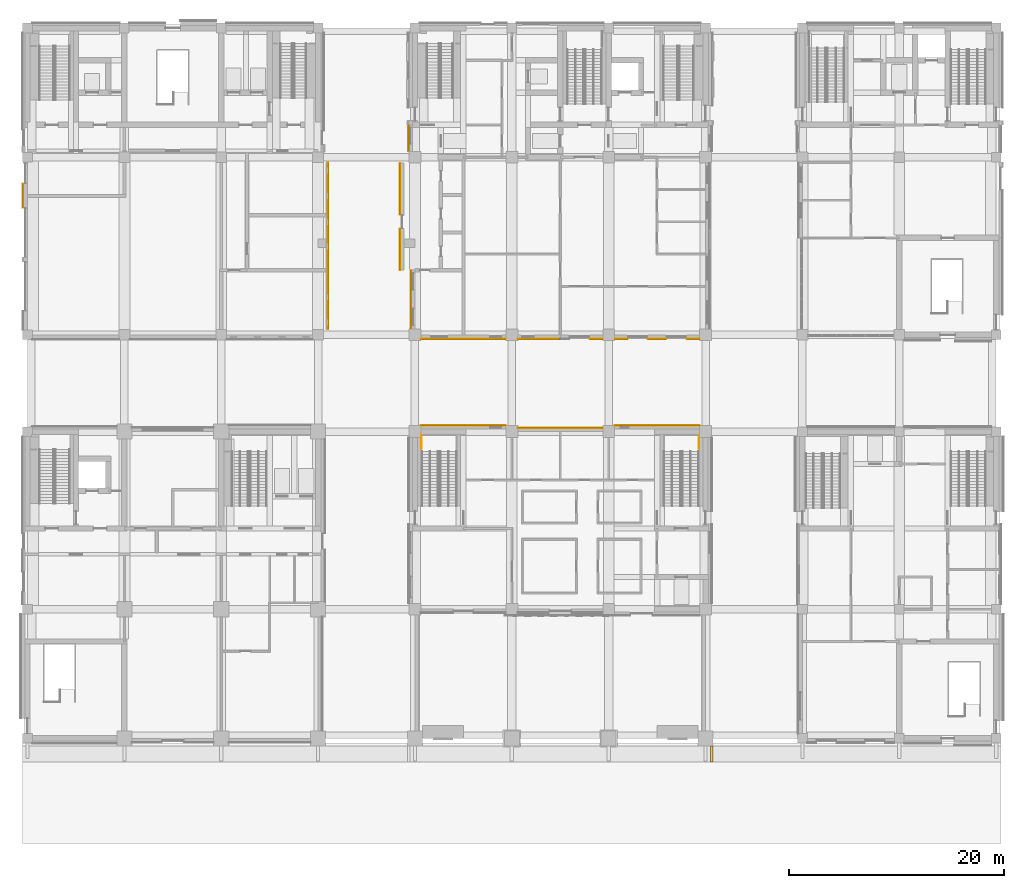
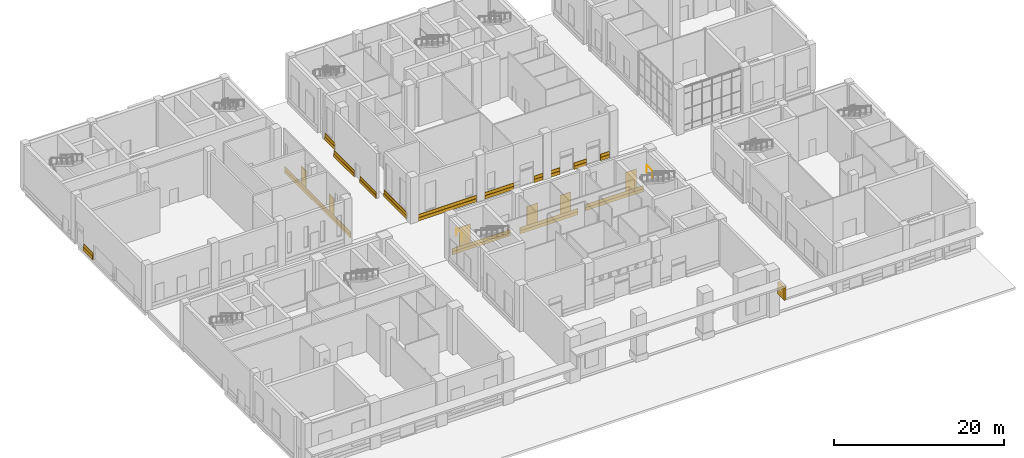
# One storey, part 25 of 35: 36 coverings, 2 railings, 1 shading device.
"""IFC4 building model written with IfcOpenShell, lengths in metres."""

from ifc_helpers import new_model, si_unit, direction, frame, origin, origin_2d, place, context, subcontext, project, spatial, polyline, rectangle, circle, outline, extrude, material, layer, layer_set, type_object, element, save


model = new_model("IFC4")

# Units and contexts
model_context = context("Model", 3, precision=1e-05, world=origin(), true_north=direction((0.0, 1.0)))
body_context = subcontext(model_context, "Body", "Model", "MODEL_VIEW")
ifc_project = project(units=[si_unit("LENGTHUNIT", "METRE"), si_unit("AREAUNIT", "SQUARE_METRE"), si_unit("VOLUMEUNIT", "CUBIC_METRE"), si_unit("PLANEANGLEUNIT", "RADIAN"), si_unit("MASSUNIT", "GRAM", prefix="KILO")], contexts=[model_context])

# Site, building, storey
site_placement = place(None, origin())
site = spatial("IfcSite", under=ifc_project, at=site_placement, CompositionType="ELEMENT")
building_placement = place(site_placement, origin())
building = spatial("IfcBuilding", under=site, at=building_placement, Name="Aurelan Courthouse", CompositionType="ELEMENT")
storey_placement = place(building_placement, origin())
storey = spatial("IfcBuildingStorey", under=building, at=storey_placement, Name="L00", CompositionType="ELEMENT", Elevation=0.0)

# Coverings
ifc_material_1 = material(Name="Bronze sheet cladding")
ifc_layer_1 = layer(ifc_material_1, 0.06005859375)
ifc_layer_set_1 = layer_set([ifc_layer_1], Name="Bronze sheet cladding")
covering_type_1 = type_object("IfcCoveringType", Name="Ceremonial Court blind bay 1500 x 2700", PredefinedType="CLADDING", material=ifc_layer_set_1)
for number, where, z_axis, x_axis, name in (
    (1, (38.25, 29.080078125, 0.89990234375), (0.0, 0.0, 1.0), (1.0, 0.0, 0.0), "Blind bay BB-V1-L00-001"),
    (2, (47.25, 28.830078125, 0.89990234375), (0.0, 0.0, 1.0), (1.0, 0.0, 0.0), "Blind bay BB-V1-L00-002"),
    (3, (51.75, 28.830078125, 0.89990234375), (0.0, 0.0, 1.0), (1.0, 0.0, 0.0), "Blind bay BB-V1-L00-003"),
    (4, (60.75, 29.080078125, 0.89990234375), (0.0, 0.0, 1.0), (1.0, 0.0, 0.0), "Blind bay BB-V1-L00-004"),
):
    element("IfcCovering", number, at=place(storey_placement, frame(where, z_axis=z_axis, x_axis=x_axis)), inside=storey, type_object=covering_type_1, Name=name, PredefinedType="CLADDING", context=body_context, shape_type="SweptSolid", body=[
        extrude(rectangle(XDim=1.5, YDim=0.06005859375, at=origin_2d()), origin(), (0.0, 0.0, 1.0), 2.699951171875),
    ])
ifc_material_2 = material(Name="Granite cladding", Category="masonry")
covering_type_2 = type_object("IfcCoveringType", Name="Ceremonial Court rusticated plinth course 450 x 100", PredefinedType="CLADDING", material=ifc_material_2)
covering_1_placement = place(storey_placement, frame((49.5, 28.85009765625, 0.0), z_axis=(0.0, 0.0, 1.0), x_axis=(1.0, 0.0, 0.0)))
element("IfcCovering", 5, at=covering_1_placement, inside=storey, type_object=covering_type_2, Name="Plinth course PLC-V1-021", PredefinedType="CLADDING", context=body_context, shape_type="SweptSolid", body=[
    extrude(rectangle(XDim=7.89990234375, YDim=0.10009765625, at=origin_2d()), origin(), (0.0, 0.0, 1.0), 0.449951171875),
])
covering_2_placement = place(storey_placement, frame((49.5, 28.830078125, 0.4501953125), z_axis=(0.0, 0.0, 1.0), x_axis=(1.0, 0.0, 0.0)))
element("IfcCovering", 6, at=covering_2_placement, inside=storey, type_object=covering_type_2, Name="Plinth course PLC-V1-022", PredefinedType="CLADDING", context=body_context, shape_type="SweptSolid", body=[
    extrude(rectangle(XDim=7.89990234375, YDim=0.06005859375, at=origin_2d()), origin(), (0.0, 0.0, 1.0), 0.449951171875),
])
covering_3_placement = place(storey_placement, frame((40.5, 29.10009765625, 0.0), z_axis=(0.0, 0.0, 1.0), x_axis=(1.0, 0.0, 0.0)))
element("IfcCovering", 7, at=covering_3_placement, inside=storey, type_object=covering_type_2, Name="Plinth course PLC-V1-023", PredefinedType="CLADDING", context=body_context, shape_type="SweptSolid", body=[
    extrude(rectangle(XDim=7.89990234375, YDim=0.10009765625, at=origin_2d()), origin(), (0.0, 0.0, 1.0), 0.449951171875),
])
covering_4_placement = place(storey_placement, frame((40.5, 29.080078125, 0.4501953125), z_axis=(0.0, 0.0, 1.0), x_axis=(1.0, 0.0, 0.0)))
element("IfcCovering", 8, at=covering_4_placement, inside=storey, type_object=covering_type_2, Name="Plinth course PLC-V1-024", PredefinedType="CLADDING", context=body_context, shape_type="SweptSolid", body=[
    extrude(rectangle(XDim=7.89990234375, YDim=0.06005859375, at=origin_2d()), origin(), (0.0, 0.0, 1.0), 0.449951171875),
])
covering_5_placement = place(storey_placement, frame((58.5, 29.10009765625, 0.0), z_axis=(0.0, 0.0, 1.0), x_axis=(1.0, 0.0, 0.0)))
element("IfcCovering", 9, at=covering_5_placement, inside=storey, type_object=covering_type_2, Name="Plinth course PLC-V1-025", PredefinedType="CLADDING", context=body_context, shape_type="SweptSolid", body=[
    extrude(rectangle(XDim=7.89990234375, YDim=0.10009765625, at=origin_2d()), origin(), (0.0, 0.0, 1.0), 0.449951171875),
])
covering_6_placement = place(storey_placement, frame((58.5, 29.080078125, 0.4501953125), z_axis=(0.0, 0.0, 1.0), x_axis=(1.0, 0.0, 0.0)))
element("IfcCovering", 10, at=covering_6_placement, inside=storey, type_object=covering_type_2, Name="Plinth course PLC-V1-026", PredefinedType="CLADDING", context=body_context, shape_type="SweptSolid", body=[
    extrude(rectangle(XDim=7.89990234375, YDim=0.06005859375, at=origin_2d()), origin(), (0.0, 0.0, 1.0), 0.449951171875),
])
covering_type_3 = type_object("IfcCoveringType", Name="Courtroom Block rusticated plinth course 450 x 100", PredefinedType="CLADDING", material=ifc_material_2)
covering_7_placement = place(storey_placement, frame((40.5, 37.10009765625, 0.0), z_axis=(0.0, 0.0, 1.0), x_axis=(1.0, 0.0, 0.0)))
element("IfcCovering", 11, at=covering_7_placement, inside=storey, type_object=covering_type_3, Name="Plinth course PLC-V2-001", PredefinedType="CLADDING", context=body_context, shape_type="SweptSolid", body=[
    extrude(rectangle(XDim=7.89990234375, YDim=0.10009765625, at=origin_2d()), origin(), (0.0, 0.0, 1.0), 0.449951171875),
])
covering_8_placement = place(storey_placement, frame((40.5, 37.1201171875, 0.4501953125), z_axis=(0.0, 0.0, 1.0), x_axis=(1.0, 0.0, 0.0)))
element("IfcCovering", 12, at=covering_8_placement, inside=storey, type_object=covering_type_3, Name="Plinth course PLC-V2-002", PredefinedType="CLADDING", context=body_context, shape_type="SweptSolid", body=[
    extrude(rectangle(XDim=7.89990234375, YDim=0.06005859375, at=origin_2d()), origin(), (0.0, 0.0, 1.0), 0.449951171875),
])
covering_9_placement = place(storey_placement, frame((47.52490234375, 37.10009765625, 0.0), z_axis=(0.0, 0.0, 1.0), x_axis=(1.0, 0.0, 0.0)))
element("IfcCovering", 13, at=covering_9_placement, inside=storey, type_object=covering_type_3, Name="Plinth course PLC-V2-003", PredefinedType="CLADDING", context=body_context, shape_type="SweptSolid", body=[
    extrude(rectangle(XDim=3.949951171875, YDim=0.10009765625, at=origin_2d()), origin(), (0.0, 0.0, 1.0), 0.449951171875),
])
covering_10_placement = place(storey_placement, frame((47.52490234375, 37.1201171875, 0.4501953125), z_axis=(0.0, 0.0, 1.0), x_axis=(1.0, 0.0, 0.0)))
element("IfcCovering", 14, at=covering_10_placement, inside=storey, type_object=covering_type_3, Name="Plinth course PLC-V2-004", PredefinedType="CLADDING", context=body_context, shape_type="SweptSolid", body=[
    extrude(rectangle(XDim=3.949951171875, YDim=0.06005859375, at=origin_2d()), origin(), (0.0, 0.0, 1.0), 0.449951171875),
])
covering_11_placement = place(storey_placement, frame((52.85009765625, 37.10009765625, 0.0), z_axis=(0.0, 0.0, 1.0), x_axis=(1.0, 0.0, 0.0)))
element("IfcCovering", 15, at=covering_11_placement, inside=storey, type_object=covering_type_3, Name="Plinth course PLC-V2-006", PredefinedType="CLADDING", context=body_context, shape_type="SweptSolid", body=[
    extrude(rectangle(XDim=1.199951171875, YDim=0.10009765625, at=origin_2d()), origin(), (0.0, 0.0, 1.0), 0.449951171875),
])
covering_12_placement = place(storey_placement, frame((52.85009765625, 37.1201171875, 0.4501953125), z_axis=(0.0, 0.0, 1.0), x_axis=(1.0, 0.0, 0.0)))
element("IfcCovering", 16, at=covering_12_placement, inside=storey, type_object=covering_type_3, Name="Plinth course PLC-V2-008", PredefinedType="CLADDING", context=body_context, shape_type="SweptSolid", body=[
    extrude(rectangle(XDim=1.199951171875, YDim=0.06005859375, at=origin_2d()), origin(), (0.0, 0.0, 1.0), 0.449951171875),
])
covering_13_placement = place(storey_placement, frame((55.14990234375, 37.10009765625, 0.0), z_axis=(0.0, 0.0, 1.0), x_axis=(1.0, 0.0, 0.0)))
element("IfcCovering", 17, at=covering_13_placement, inside=storey, type_object=covering_type_3, Name="Plinth course PLC-V2-009", PredefinedType="CLADDING", context=body_context, shape_type="SweptSolid", body=[
    extrude(rectangle(XDim=1.199951171875, YDim=0.10009765625, at=origin_2d()), origin(), (0.0, 0.0, 1.0), 0.449951171875),
])
covering_14_placement = place(storey_placement, frame((58.5, 37.10009765625, 0.0), z_axis=(0.0, 0.0, 1.0), x_axis=(1.0, 0.0, 0.0)))
element("IfcCovering", 18, at=covering_14_placement, inside=storey, type_object=covering_type_3, Name="Plinth course PLC-V2-010", PredefinedType="CLADDING", context=body_context, shape_type="SweptSolid", body=[
    extrude(rectangle(XDim=1.699951171875, YDim=0.10009765625, at=origin_2d()), origin(), (0.0, 0.0, 1.0), 0.449951171875),
])
covering_15_placement = place(storey_placement, frame((61.85009765625, 37.10009765625, 0.0), z_axis=(0.0, 0.0, 1.0), x_axis=(1.0, 0.0, 0.0)))
element("IfcCovering", 19, at=covering_15_placement, inside=storey, type_object=covering_type_3, Name="Plinth course PLC-V2-011", PredefinedType="CLADDING", context=body_context, shape_type="SweptSolid", body=[
    extrude(rectangle(XDim=1.199951171875, YDim=0.10009765625, at=origin_2d()), origin(), (0.0, 0.0, 1.0), 0.449951171875),
])
covering_16_placement = place(storey_placement, frame((55.14990234375, 37.1201171875, 0.4501953125), z_axis=(0.0, 0.0, 1.0), x_axis=(1.0, 0.0, 0.0)))
element("IfcCovering", 20, at=covering_16_placement, inside=storey, type_object=covering_type_3, Name="Plinth course PLC-V2-012", PredefinedType="CLADDING", context=body_context, shape_type="SweptSolid", body=[
    extrude(rectangle(XDim=1.199951171875, YDim=0.06005859375, at=origin_2d()), origin(), (0.0, 0.0, 1.0), 0.449951171875),
])
covering_17_placement = place(storey_placement, frame((58.5, 37.1201171875, 0.4501953125), z_axis=(0.0, 0.0, 1.0), x_axis=(1.0, 0.0, 0.0)))
element("IfcCovering", 21, at=covering_17_placement, inside=storey, type_object=covering_type_3, Name="Plinth course PLC-V2-013", PredefinedType="CLADDING", context=body_context, shape_type="SweptSolid", body=[
    extrude(rectangle(XDim=1.699951171875, YDim=0.06005859375, at=origin_2d()), origin(), (0.0, 0.0, 1.0), 0.449951171875),
])
covering_18_placement = place(storey_placement, frame((61.85009765625, 37.1201171875, 0.4501953125), z_axis=(0.0, 0.0, 1.0), x_axis=(1.0, 0.0, 0.0)))
element("IfcCovering", 22, at=covering_18_placement, inside=storey, type_object=covering_type_3, Name="Plinth course PLC-V2-014", PredefinedType="CLADDING", context=body_context, shape_type="SweptSolid", body=[
    extrude(rectangle(XDim=1.199951171875, YDim=0.06005859375, at=origin_2d()), origin(), (0.0, 0.0, 1.0), 0.449951171875),
])
covering_19_placement = place(storey_placement, frame((35.60009765625, 40.77490234375, 0.0), z_axis=(0.0, 0.0, 1.0), x_axis=(1.0, 0.0, 0.0)))
element("IfcCovering", 23, at=covering_19_placement, inside=storey, type_object=covering_type_3, Name="Plinth course PLC-V2-015", PredefinedType="CLADDING", context=body_context, shape_type="SweptSolid", body=[
    extrude(rectangle(XDim=0.10009765625, YDim=5.449951171875, at=origin_2d()), origin(), (0.0, 0.0, 1.0), 0.449951171875),
])
covering_20_placement = place(storey_placement, frame((35.6201171875, 40.77490234375, 0.4501953125), z_axis=(0.0, 0.0, 1.0), x_axis=(1.0, 0.0, 0.0)))
element("IfcCovering", 24, at=covering_20_placement, inside=storey, type_object=covering_type_3, Name="Plinth course PLC-V2-016", PredefinedType="CLADDING", context=body_context, shape_type="SweptSolid", body=[
    extrude(rectangle(XDim=0.06005859375, YDim=5.449951171875, at=origin_2d()), origin(), (0.0, 0.0, 1.0), 0.449951171875),
])
covering_21_placement = place(storey_placement, frame((34.574951171875, 45.425048828125, 0.0), z_axis=(0.0, 0.0, 1.0), x_axis=(1.0, 0.0, 0.0)))
element("IfcCovering", 25, at=covering_21_placement, inside=storey, type_object=covering_type_3, Name="Plinth course PLC-V2-019", PredefinedType="CLADDING", context=body_context, shape_type="SweptSolid", body=[
    extrude(rectangle(XDim=0.10009765625, YDim=3.85009765625, at=origin_2d()), origin(), (0.0, 0.0, 1.0), 0.449951171875),
])
covering_22_placement = place(storey_placement, frame((34.574951171875, 51.050048828125, 0.0), z_axis=(0.0, 0.0, 1.0), x_axis=(1.0, 0.0, 0.0)))
element("IfcCovering", 26, at=covering_22_placement, inside=storey, type_object=covering_type_3, Name="Plinth course PLC-V2-020", PredefinedType="CLADDING", context=body_context, shape_type="SweptSolid", body=[
    extrude(rectangle(XDim=0.10009765625, YDim=4.800048828125, at=origin_2d()), origin(), (0.0, 0.0, 1.0), 0.449951171875),
])
covering_23_placement = place(storey_placement, frame((34.594970703125, 45.425048828125, 0.4501953125), z_axis=(0.0, 0.0, 1.0), x_axis=(1.0, 0.0, 0.0)))
element("IfcCovering", 27, at=covering_23_placement, inside=storey, type_object=covering_type_3, Name="Plinth course PLC-V2-021", PredefinedType="CLADDING", context=body_context, shape_type="SweptSolid", body=[
    extrude(rectangle(XDim=0.06005859375, YDim=3.85009765625, at=origin_2d()), origin(), (0.0, 0.0, 1.0), 0.449951171875),
])
covering_24_placement = place(storey_placement, frame((34.594970703125, 51.050048828125, 0.4501953125), z_axis=(0.0, 0.0, 1.0), x_axis=(1.0, 0.0, 0.0)))
element("IfcCovering", 28, at=covering_24_placement, inside=storey, type_object=covering_type_3, Name="Plinth course PLC-V2-022", PredefinedType="CLADDING", context=body_context, shape_type="SweptSolid", body=[
    extrude(rectangle(XDim=0.06005859375, YDim=4.800048828125, at=origin_2d()), origin(), (0.0, 0.0, 1.0), 0.449951171875),
])
covering_25_placement = place(storey_placement, frame((35.39990234375, 55.77490234375, 0.0), z_axis=(0.0, 0.0, 1.0), x_axis=(1.0, 0.0, 0.0)))
element("IfcCovering", 29, at=covering_25_placement, inside=storey, type_object=covering_type_3, Name="Plinth course PLC-V2-025", PredefinedType="CLADDING", context=body_context, shape_type="SweptSolid", body=[
    extrude(rectangle(XDim=0.10009765625, YDim=2.449951171875, at=origin_2d()), origin(), (0.0, 0.0, 1.0), 0.449951171875),
])
covering_26_placement = place(storey_placement, frame((35.419921875, 55.77490234375, 0.4501953125), z_axis=(0.0, 0.0, 1.0), x_axis=(1.0, 0.0, 0.0)))
element("IfcCovering", 30, at=covering_26_placement, inside=storey, type_object=covering_type_3, Name="Plinth course PLC-V2-026", PredefinedType="CLADDING", context=body_context, shape_type="SweptSolid", body=[
    extrude(rectangle(XDim=0.06005859375, YDim=2.449951171875, at=origin_2d()), origin(), (0.0, 0.0, 1.0), 0.449951171875),
])
ifc_layer_2 = layer(ifc_material_1, 0.06005859375)
ifc_layer_set_2 = layer_set([ifc_layer_2], Name="Bronze sheet cladding")
covering_type_4 = type_object("IfcCoveringType", Name="Custody Suite blind bay 1200 x 2400", PredefinedType="CLADDING", material=ifc_layer_set_2)
for number, where, z_axis, x_axis, name in (
    (31, (27.929931640625, 42.449951171875, 0.900146484375), (0.0, 0.0, 1.0), (1.0, 0.0, 0.0), "Blind bay BB-V6-L00-016"),
    (32, (27.929931640625, 49.050048828125, 0.900146484375), (0.0, 0.0, 1.0), (1.0, 0.0, 0.0), "Blind bay BB-V6-L00-017"),
):
    element("IfcCovering", number, at=place(storey_placement, frame(where, z_axis=z_axis, x_axis=x_axis)), inside=storey, type_object=covering_type_4, Name=name, PredefinedType="CLADDING", context=body_context, shape_type="SweptSolid", body=[
        extrude(rectangle(XDim=0.06005859375, YDim=1.199951171875, at=origin_2d()), origin(), (0.0, 0.0, 1.0), 2.39990234375),
    ])
covering_type_5 = type_object("IfcCoveringType", Name="Custody Suite rusticated plinth course 450 x 100", PredefinedType="CLADDING", material=ifc_material_2)
covering_27_placement = place(storey_placement, frame((-0.449951171875, 50.425048828125, 0.0), z_axis=(0.0, 0.0, 1.0), x_axis=(1.0, 0.0, 0.0)))
element("IfcCovering", 33, at=covering_27_placement, inside=storey, type_object=covering_type_5, Name="Plinth course PLC-V6-009", PredefinedType="CLADDING", context=body_context, shape_type="SweptSolid", body=[
    extrude(rectangle(XDim=0.10009765625, YDim=2.25, at=origin_2d()), origin(), (0.0, 0.0, 1.0), 0.449951171875),
])
covering_28_placement = place(storey_placement, frame((-0.429931640625, 50.425048828125, 0.4501953125), z_axis=(0.0, 0.0, 1.0), x_axis=(1.0, 0.0, 0.0)))
element("IfcCovering", 34, at=covering_28_placement, inside=storey, type_object=covering_type_5, Name="Plinth course PLC-V6-012", PredefinedType="CLADDING", context=body_context, shape_type="SweptSolid", body=[
    extrude(rectangle(XDim=0.06005859375, YDim=2.25, at=origin_2d()), origin(), (0.0, 0.0, 1.0), 0.449951171875),
])
covering_29_placement = place(storey_placement, frame((27.949951171875, 45.75, 0.0), z_axis=(0.0, 0.0, 1.0), x_axis=(1.0, 0.0, 0.0)))
element("IfcCovering", 35, at=covering_29_placement, inside=storey, type_object=covering_type_5, Name="Plinth course PLC-V6-013", PredefinedType="CLADDING", context=body_context, shape_type="SweptSolid", body=[
    extrude(rectangle(XDim=0.10009765625, YDim=15.5, at=origin_2d()), origin(), (0.0, 0.0, 1.0), 0.449951171875),
])
covering_30_placement = place(storey_placement, frame((27.929931640625, 45.75, 0.4501953125), z_axis=(0.0, 0.0, 1.0), x_axis=(1.0, 0.0, 0.0)))
element("IfcCovering", 36, at=covering_30_placement, inside=storey, type_object=covering_type_5, Name="Plinth course PLC-V6-014", PredefinedType="CLADDING", context=body_context, shape_type="SweptSolid", body=[
    extrude(rectangle(XDim=0.06005859375, YDim=15.5, at=origin_2d()), origin(), (0.0, 0.0, 1.0), 0.449951171875),
])

# Railings
ifc_material_3 = material(Name="Steel S355", Category="steel")
railing_type = type_object("IfcRailingType", Name="Stair guard 1100", PredefinedType="GUARDRAIL", material=ifc_material_3)
railing_1_placement = place(storey_placement, frame((62.39990234375, 28.169921875, 3.300048828125)))
element("IfcRailing", 37, at=railing_1_placement, inside=storey, type_object=railing_type, Name="Guard ST-1E-L00-GL1", PredefinedType="GUARDRAIL", context=body_context, shape_type="SweptSolid", body=[
    extrude(circle(Radius=0.02392578125, at=origin_2d()), frame((0.0, 0.0, 1.076171875), z_axis=(0.0, -1.0, 0.0), x_axis=(1.0, 0.0, 0.0)), (0.0, 0.0, 1.0), 1.24462890625),
    extrude(circle(Radius=0.02099609375, at=origin_2d()), origin(), (0.0, 0.0, 1.0), 1.052001953125),
    extrude(circle(Radius=0.02099609375, at=origin_2d()), frame((0.0, -1.24462890625, 0.0)), (0.0, 0.0, 1.0), 1.052001953125),
])
railing_2_placement = place(storey_placement, frame((36.60009765625, 26.92529296875, 3.300048828125)))
element("IfcRailing", 38, at=railing_2_placement, inside=storey, type_object=railing_type, Name="Guard ST-1W-L00-GL1", PredefinedType="GUARDRAIL", context=body_context, shape_type="SweptSolid", body=[
    extrude(circle(Radius=0.02392578125, at=origin_2d()), frame((0.0, 0.0, 1.076171875), z_axis=(0.0, 1.0, 0.0), x_axis=(-1.0, 0.0, 0.0)), (0.0, 0.0, 1.0), 1.24462890625),
    extrude(circle(Radius=0.02099609375, at=origin_2d()), origin(), (0.0, 0.0, 1.0), 1.052001953125),
    extrude(circle(Radius=0.02099609375, at=origin_2d()), frame((0.0, 1.24462890625, 0.0)), (0.0, 0.0, 1.0), 1.052001953125),
])

# Shading device
ifc_material_4 = material(Name="Concrete C40", Category="concrete")
ifc_layer_3 = layer(ifc_material_4, 0.24609375, Name="Structure")
ifc_material_5 = material(Name="Bronze sheet cladding", Category="bronze")
ifc_layer_4 = layer(ifc_material_5, 0.00390625, Name="Cladding")
ifc_layer_set_3 = layer_set([ifc_layer_3, ifc_layer_4], Name="Concrete C40")
shading_device_type = type_object("IfcShadingDeviceType", Name="Street canopy 250", PredefinedType="AWNING", material=ifc_layer_set_3)
shading_device_placement = place(storey_placement, frame((0.0, 0.0, 3.0)))
element("IfcShadingDevice", 39, at=shading_device_placement, inside=storey, type_object=shading_device_type, Name="Street canopy riser AW-S02-R2", PredefinedType="AWNING", context=body_context, shape_type="SweptSolid", body=[
    extrude(outline(polyline([(63.449951171875, -0.699951171875), (63.699951171875, -0.699951171875), (63.699951171875, -2.199951171875), (63.449951171875, -2.199951171875), (63.449951171875, -0.699951171875)])), origin(), (0.0, 0.0, 1.0), 1.800048828125),
])

save(model, "model.ifc")
